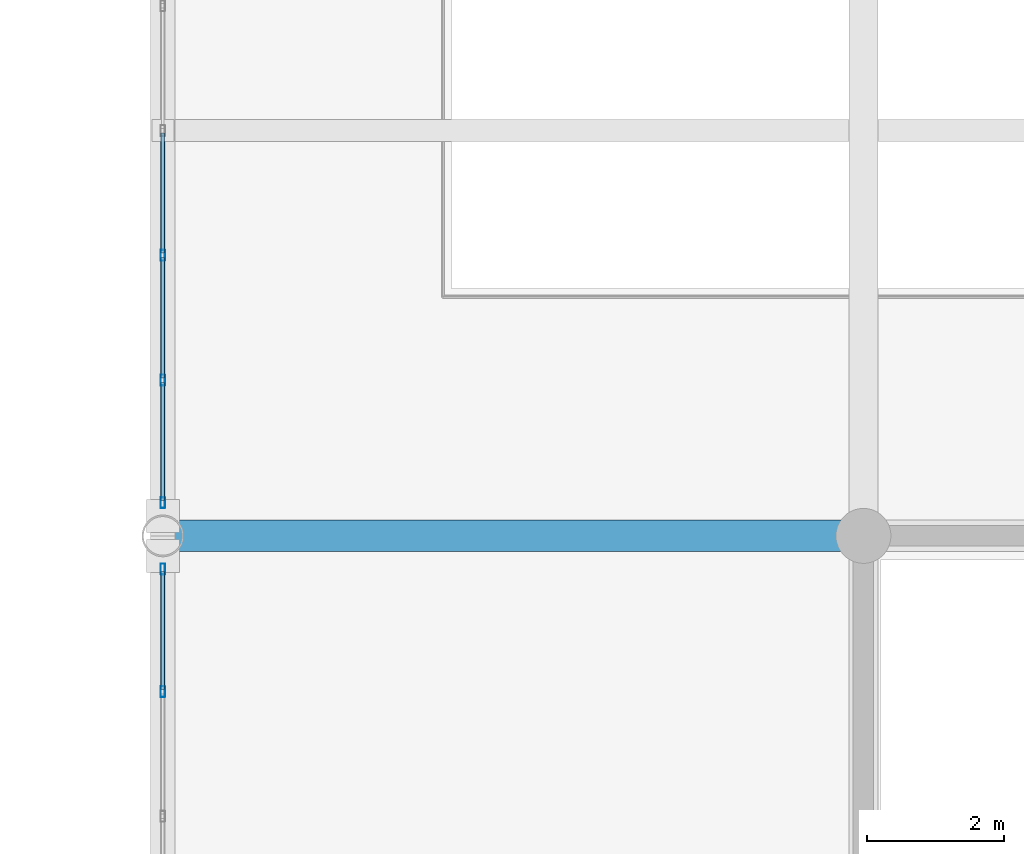
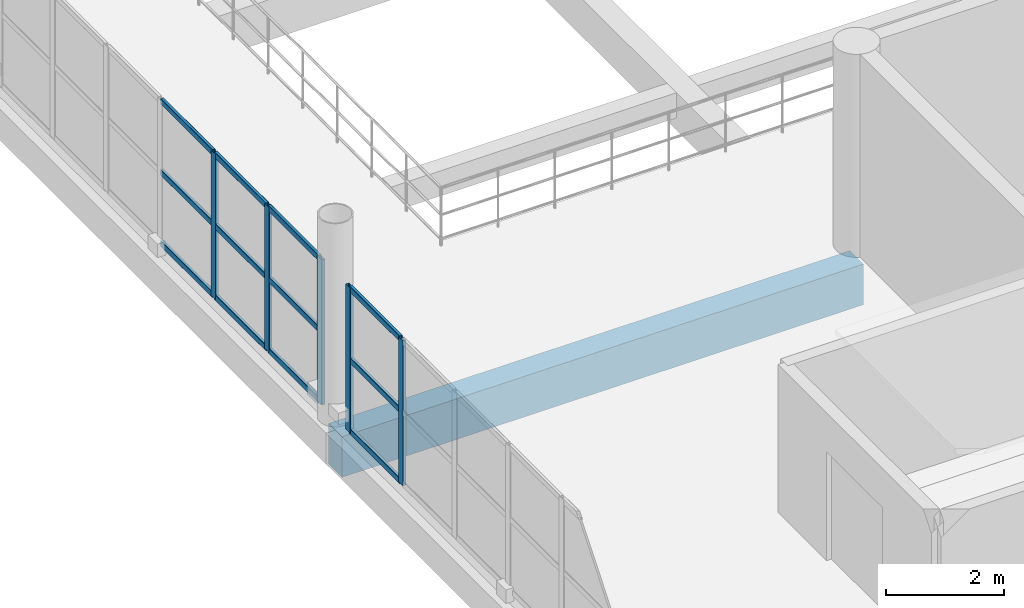
# One storey, part 56 of 157: 17 members, 1 beam, 2 elements without a shape of their own.
"""IFC4 building model written with IfcOpenShell, lengths in metres."""

from ifc_helpers import new_model, si_unit, direction, frame, origin, origin_2d, place, context, subcontext, project, spatial, rectangle, hollow_rectangle, extrude, material, material_profile, profile_set, type_object, element, aggregate, save


model = new_model("IFC4")

# Units and contexts
model_context = context("Model", 3, precision=1e-05, world=origin(), true_north=direction((0.0, 1.0)))
body_context = subcontext(model_context, "Body", "Model", "MODEL_VIEW")
ifc_project = project(units=[si_unit("LENGTHUNIT", "METRE"), si_unit("AREAUNIT", "SQUARE_METRE"), si_unit("VOLUMEUNIT", "CUBIC_METRE"), si_unit("PLANEANGLEUNIT", "RADIAN"), si_unit("MASSUNIT", "GRAM", prefix="KILO")], contexts=[model_context])

# Site, building, storey
site_placement = place(None, origin())
site = spatial("IfcSite", under=ifc_project, at=site_placement, CompositionType="ELEMENT")
building_placement = place(site_placement, origin())
building = spatial("IfcBuilding", under=site, at=building_placement, Name="Brelvane Convention Centre", CompositionType="ELEMENT")
storey_placement = place(building_placement, frame((0.0, 0.0, 10.800048828125)))
storey = spatial("IfcBuildingStorey", under=building, at=storey_placement, Name="L02", CompositionType="ELEMENT", Elevation=10.800048828125)

# Curtain wall, members
ifc_material_1 = material(Name="Anodised Aluminium Alloy 6063-T6", Category="aluminium")
curtain_wall_type = type_object("IfcCurtainWallType", Name="Curtain Wall CW-CONC", PredefinedType="USERDEFINED", material=ifc_material_1)
curtain_wall_1_placement = place(storey_placement, origin())
curtain_wall_1 = element("IfcCurtainWall", 1, at=curtain_wall_1_placement, inside=storey, type_object=curtain_wall_type, Name="Curtain Wall CW-CONC L02-GAL-ATRIUM-W-1", ObjectType="UNITISED", PredefinedType="USERDEFINED")
ifc_material_2 = material(Name="Anodised Aluminium Alloy 6063-T6", Category="aluminium")
ifc_material_profile_1 = material_profile(ifc_material_2, hollow_rectangle(XDim=0.06494140625, YDim=0.159912109375, WallThickness=0.00390625, InnerFilletRadius=0.00390625, OuterFilletRadius=0.008056640625, at=origin_2d()), Name="ALU-M 160x65x4.0")
ifc_profile_set_1 = profile_set([ifc_material_profile_1], Name="Anodised Aluminium Alloy 6063-T6")
member_type_1 = type_object("IfcMemberType", Name="Curtain Mullion CW-M3", PredefinedType="MULLION", material=ifc_profile_set_1)
member_1_placement = place(storey_placement, frame((142.800048828125, 50.13330078125, 0.0), z_axis=(0.0, 0.0, 1.0), x_axis=(-1.0, 0.0, 0.0)))
member_1 = element("IfcMember", 2, at=member_1_placement, type_object=member_type_1, Name="CW-CONC mullion 6", PredefinedType="MULLION", context=body_context, shape_type="SweptSolid", body=[
    extrude(hollow_rectangle(XDim=0.06494140625, YDim=0.159912109375, WallThickness=0.00390625, InnerFilletRadius=0.00390625, OuterFilletRadius=0.008056640625, at=origin_2d()), origin(), (0.0, 0.0, 1.0), 3.0),
])
member_2_placement = place(storey_placement, frame((142.800048828125, 51.91748046875, 0.0), z_axis=(0.0, 0.0, 1.0), x_axis=(-1.0, 0.0, 0.0)))
member_2 = element("IfcMember", 3, at=member_2_placement, type_object=member_type_1, Name="CW-CONC mullion 7", PredefinedType="MULLION", context=body_context, shape_type="SweptSolid", body=[
    extrude(hollow_rectangle(XDim=0.06494140625, YDim=0.159912109375, WallThickness=0.00390625, InnerFilletRadius=0.00390625, OuterFilletRadius=0.008056640625, at=origin_2d()), origin(), (0.0, 0.0, 1.0), 3.0),
])

curtain_wall_2_placement = place(storey_placement, origin())
curtain_wall_2 = element("IfcCurtainWall", 4, at=curtain_wall_2_placement, inside=storey, type_object=curtain_wall_type, Name="Curtain Wall CW-CONC L02-GAL-ATRIUM-W-2", ObjectType="UNITISED", PredefinedType="USERDEFINED")
member_3_placement = place(storey_placement, frame((142.800048828125, 52.882568359375, 0.0), z_axis=(0.0, 0.0, 1.0), x_axis=(-1.0, 0.0, 0.0)))
member_3 = element("IfcMember", 5, at=member_3_placement, type_object=member_type_1, Name="CW-CONC mullion 1", PredefinedType="MULLION", context=body_context, shape_type="SweptSolid", body=[
    extrude(hollow_rectangle(XDim=0.06494140625, YDim=0.159912109375, WallThickness=0.00390625, InnerFilletRadius=0.00390625, OuterFilletRadius=0.008056640625, at=origin_2d()), origin(), (0.0, 0.0, 1.0), 3.0),
])
member_4_placement = place(storey_placement, frame((142.800048828125, 54.666748046875, 0.0), z_axis=(0.0, 0.0, 1.0), x_axis=(-1.0, 0.0, 0.0)))
member_4 = element("IfcMember", 6, at=member_4_placement, type_object=member_type_1, Name="CW-CONC mullion 2", PredefinedType="MULLION", context=body_context, shape_type="SweptSolid", body=[
    extrude(hollow_rectangle(XDim=0.06494140625, YDim=0.159912109375, WallThickness=0.00390625, InnerFilletRadius=0.00390625, OuterFilletRadius=0.008056640625, at=origin_2d()), origin(), (0.0, 0.0, 1.0), 3.0),
])
member_5_placement = place(storey_placement, frame((142.800048828125, 56.4833984375, 0.0), z_axis=(0.0, 0.0, 1.0), x_axis=(-1.0, 0.0, 0.0)))
member_5 = element("IfcMember", 7, at=member_5_placement, type_object=member_type_1, Name="CW-CONC mullion 3", PredefinedType="MULLION", context=body_context, shape_type="SweptSolid", body=[
    extrude(hollow_rectangle(XDim=0.06494140625, YDim=0.159912109375, WallThickness=0.00390625, InnerFilletRadius=0.00390625, OuterFilletRadius=0.008056640625, at=origin_2d()), origin(), (0.0, 0.0, 1.0), 3.0),
])

# Member
ifc_material_3 = material(Name="Anodised Aluminium Alloy 6063-T6", Category="aluminium")
ifc_material_profile_2 = material_profile(ifc_material_3, hollow_rectangle(XDim=0.06005859375, YDim=0.1201171875, WallThickness=0.00390625, InnerFilletRadius=0.00390625, OuterFilletRadius=0.008056640625, at=origin_2d()), Name="ALU-T 120x60x4.0")
ifc_profile_set_2 = profile_set([ifc_material_profile_2], Name="Anodised Aluminium Alloy 6063-T6")
member_type_2 = type_object("IfcMemberType", Name="Curtain Transom CW-T3", PredefinedType="USERDEFINED", material=ifc_profile_set_2)
member_6_placement = place(storey_placement, frame((142.800048828125, 50.165771484375, 0.030029296875), z_axis=(0.0, 1.0, 0.0), x_axis=(-1.0, 0.0, 0.0)))
member_6 = element("IfcMember", 8, at=member_6_placement, type_object=member_type_2, Name="CW-CONC transom 6.1", ObjectType="TRANSOM", PredefinedType="USERDEFINED", context=body_context, shape_type="SweptSolid", body=[
    extrude(hollow_rectangle(XDim=0.06005859375, YDim=0.1201171875, WallThickness=0.00390625, InnerFilletRadius=0.00390625, OuterFilletRadius=0.008056640625, at=origin_2d()), origin(), (0.0, 0.0, 1.0), 1.71923828125),
])

member_7_placement = place(storey_placement, frame((142.800048828125, 50.165771484375, 1.5), z_axis=(0.0, 1.0, 0.0), x_axis=(-1.0, 0.0, 0.0)))
member_7 = element("IfcMember", 9, at=member_7_placement, type_object=member_type_2, Name="CW-CONC transom 6.2", ObjectType="TRANSOM", PredefinedType="USERDEFINED", context=body_context, shape_type="SweptSolid", body=[
    extrude(hollow_rectangle(XDim=0.06005859375, YDim=0.1201171875, WallThickness=0.00390625, InnerFilletRadius=0.00390625, OuterFilletRadius=0.008056640625, at=origin_2d()), origin(), (0.0, 0.0, 1.0), 1.71923828125),
])

member_8_placement = place(storey_placement, frame((142.800048828125, 50.165771484375, 2.969970703125), z_axis=(0.0, 1.0, 0.0), x_axis=(-1.0, 0.0, 0.0)))
member_8 = element("IfcMember", 10, at=member_8_placement, type_object=member_type_2, Name="CW-CONC transom 6.3", ObjectType="TRANSOM", PredefinedType="USERDEFINED", context=body_context, shape_type="SweptSolid", body=[
    extrude(hollow_rectangle(XDim=0.06005859375, YDim=0.1201171875, WallThickness=0.00390625, InnerFilletRadius=0.00390625, OuterFilletRadius=0.008056640625, at=origin_2d()), origin(), (0.0, 0.0, 1.0), 1.71923828125),
])

aggregate(curtain_wall_1, [member_1, member_2, member_6, member_7, member_8])

member_9_placement = place(storey_placement, frame((142.800048828125, 52.9150390625, 0.030029296875), z_axis=(0.0, 1.0, 0.0), x_axis=(-1.0, 0.0, 0.0)))
member_9 = element("IfcMember", 11, at=member_9_placement, type_object=member_type_2, Name="CW-CONC transom 1.1", ObjectType="TRANSOM", PredefinedType="USERDEFINED", context=body_context, shape_type="SweptSolid", body=[
    extrude(hollow_rectangle(XDim=0.06005859375, YDim=0.1201171875, WallThickness=0.00390625, InnerFilletRadius=0.00390625, OuterFilletRadius=0.008056640625, at=origin_2d()), origin(), (0.0, 0.0, 1.0), 1.71923828125),
])

member_10_placement = place(storey_placement, frame((142.800048828125, 52.9150390625, 1.5), z_axis=(0.0, 1.0, 0.0), x_axis=(-1.0, 0.0, 0.0)))
member_10 = element("IfcMember", 12, at=member_10_placement, type_object=member_type_2, Name="CW-CONC transom 1.2", ObjectType="TRANSOM", PredefinedType="USERDEFINED", context=body_context, shape_type="SweptSolid", body=[
    extrude(hollow_rectangle(XDim=0.06005859375, YDim=0.1201171875, WallThickness=0.00390625, InnerFilletRadius=0.00390625, OuterFilletRadius=0.008056640625, at=origin_2d()), origin(), (0.0, 0.0, 1.0), 1.71923828125),
])

member_11_placement = place(storey_placement, frame((142.800048828125, 52.9150390625, 2.969970703125), z_axis=(0.0, 1.0, 0.0), x_axis=(-1.0, 0.0, 0.0)))
member_11 = element("IfcMember", 13, at=member_11_placement, type_object=member_type_2, Name="CW-CONC transom 1.3", ObjectType="TRANSOM", PredefinedType="USERDEFINED", context=body_context, shape_type="SweptSolid", body=[
    extrude(hollow_rectangle(XDim=0.06005859375, YDim=0.1201171875, WallThickness=0.00390625, InnerFilletRadius=0.00390625, OuterFilletRadius=0.008056640625, at=origin_2d()), origin(), (0.0, 0.0, 1.0), 1.71923828125),
])

member_12_placement = place(storey_placement, frame((142.800048828125, 54.69921875, 0.030029296875), z_axis=(0.0, 1.0, 0.0), x_axis=(-1.0, 0.0, 0.0)))
member_12 = element("IfcMember", 14, at=member_12_placement, type_object=member_type_2, Name="CW-CONC transom 2.1", ObjectType="TRANSOM", PredefinedType="USERDEFINED", context=body_context, shape_type="SweptSolid", body=[
    extrude(hollow_rectangle(XDim=0.06005859375, YDim=0.1201171875, WallThickness=0.00390625, InnerFilletRadius=0.00390625, OuterFilletRadius=0.008056640625, at=origin_2d()), origin(), (0.0, 0.0, 1.0), 1.751708984375),
])

member_13_placement = place(storey_placement, frame((142.800048828125, 54.69921875, 1.5), z_axis=(0.0, 1.0, 0.0), x_axis=(-1.0, 0.0, 0.0)))
member_13 = element("IfcMember", 15, at=member_13_placement, type_object=member_type_2, Name="CW-CONC transom 2.2", ObjectType="TRANSOM", PredefinedType="USERDEFINED", context=body_context, shape_type="SweptSolid", body=[
    extrude(hollow_rectangle(XDim=0.06005859375, YDim=0.1201171875, WallThickness=0.00390625, InnerFilletRadius=0.00390625, OuterFilletRadius=0.008056640625, at=origin_2d()), origin(), (0.0, 0.0, 1.0), 1.751708984375),
])

member_14_placement = place(storey_placement, frame((142.800048828125, 54.69921875, 2.969970703125), z_axis=(0.0, 1.0, 0.0), x_axis=(-1.0, 0.0, 0.0)))
member_14 = element("IfcMember", 16, at=member_14_placement, type_object=member_type_2, Name="CW-CONC transom 2.3", ObjectType="TRANSOM", PredefinedType="USERDEFINED", context=body_context, shape_type="SweptSolid", body=[
    extrude(hollow_rectangle(XDim=0.06005859375, YDim=0.1201171875, WallThickness=0.00390625, InnerFilletRadius=0.00390625, OuterFilletRadius=0.008056640625, at=origin_2d()), origin(), (0.0, 0.0, 1.0), 1.751708984375),
])

member_15_placement = place(storey_placement, frame((142.800048828125, 56.515869140625, 0.030029296875), z_axis=(0.0, 1.0, 0.0), x_axis=(-1.0, 0.0, 0.0)))
member_15 = element("IfcMember", 17, at=member_15_placement, type_object=member_type_2, Name="CW-CONC transom 3.1", ObjectType="TRANSOM", PredefinedType="USERDEFINED", context=body_context, shape_type="SweptSolid", body=[
    extrude(hollow_rectangle(XDim=0.06005859375, YDim=0.1201171875, WallThickness=0.00390625, InnerFilletRadius=0.00390625, OuterFilletRadius=0.008056640625, at=origin_2d()), origin(), (0.0, 0.0, 1.0), 1.751708984375),
])

member_16_placement = place(storey_placement, frame((142.800048828125, 56.515869140625, 1.5), z_axis=(0.0, 1.0, 0.0), x_axis=(-1.0, 0.0, 0.0)))
member_16 = element("IfcMember", 18, at=member_16_placement, type_object=member_type_2, Name="CW-CONC transom 3.2", ObjectType="TRANSOM", PredefinedType="USERDEFINED", context=body_context, shape_type="SweptSolid", body=[
    extrude(hollow_rectangle(XDim=0.06005859375, YDim=0.1201171875, WallThickness=0.00390625, InnerFilletRadius=0.00390625, OuterFilletRadius=0.008056640625, at=origin_2d()), origin(), (0.0, 0.0, 1.0), 1.751708984375),
])

member_17_placement = place(storey_placement, frame((142.800048828125, 56.515869140625, 2.969970703125), z_axis=(0.0, 1.0, 0.0), x_axis=(-1.0, 0.0, 0.0)))
member_17 = element("IfcMember", 19, at=member_17_placement, type_object=member_type_2, Name="CW-CONC transom 3.3", ObjectType="TRANSOM", PredefinedType="USERDEFINED", context=body_context, shape_type="SweptSolid", body=[
    extrude(hollow_rectangle(XDim=0.06005859375, YDim=0.1201171875, WallThickness=0.00390625, InnerFilletRadius=0.00390625, OuterFilletRadius=0.008056640625, at=origin_2d()), origin(), (0.0, 0.0, 1.0), 1.751708984375),
])

aggregate(curtain_wall_2, [member_3, member_4, member_5, member_9, member_10, member_11, member_12, member_13, member_14, member_15, member_16, member_17])

# Beam
ifc_material_4 = material(Name="Concrete M40", Category="concrete")
ifc_material_profile_3 = material_profile(ifc_material_4, rectangle(XDim=0.4599609375, YDim=0.840087890625, at=origin_2d()), Name="RC 460x840")
ifc_profile_set_3 = profile_set([ifc_material_profile_3], Name="Concrete M40")
beam_type = type_object("IfcBeamType", Name="RC Beam B-RC11 (RC 460x840)", PredefinedType="BEAM", material=ifc_profile_set_3)
beam_placement = place(storey_placement, frame((142.800048828125, 52.39990234375, -0.699951171875), z_axis=(1.0, 0.0, 0.0), x_axis=(0.0, 1.0, 0.0)))
element("IfcBeam", 20, at=beam_placement, inside=storey, type_object=beam_type, Name="L02 Beam 15-16/F", PredefinedType="BEAM", context=body_context, shape_type="SweptSolid", body=[
    extrude(rectangle(XDim=0.4599609375, YDim=0.840087890625, at=origin_2d()), origin(), (0.0, 0.0, 1.0), 10.199951171875),
])

save(model, "model.ifc")
